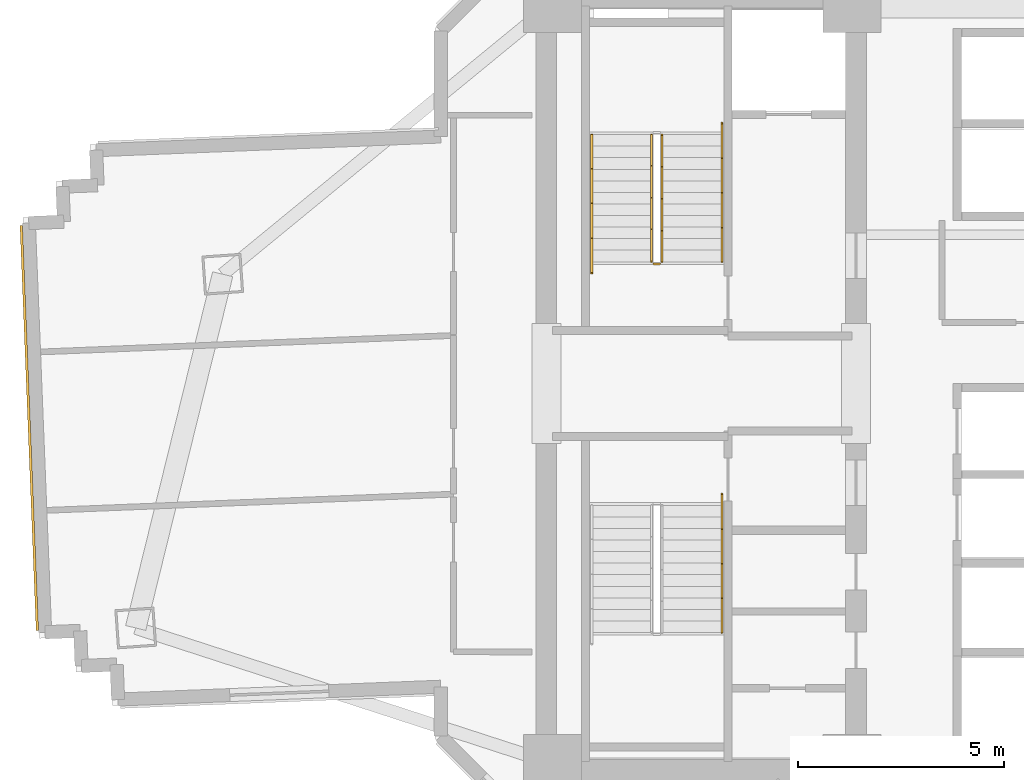
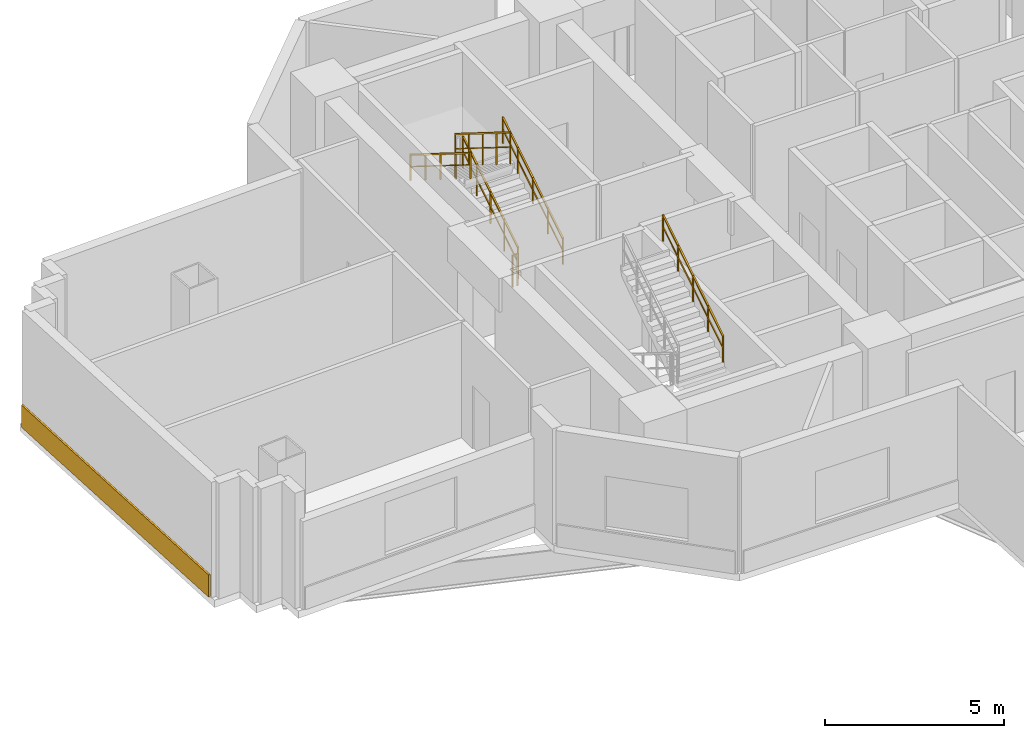
# One storey, part 13 of 16: 6 railings, 1 covering.
"""IFC4 building model written with IfcOpenShell, lengths in metres."""

from ifc_helpers import new_model, si_unit, direction, frame, origin, origin_2d, place, context, subcontext, project, spatial, rectangle, extrude, source, transform, mapped, material, layer, layer_set, type_object, element, save


model = new_model("IFC4")

# Units and contexts
model_context = context("Model", 3, precision=1e-05, world=origin(), true_north=direction((0.0, 1.0)))
body_context = subcontext(model_context, "Body", "Model", "MODEL_VIEW")
ifc_project = project(units=[si_unit("LENGTHUNIT", "METRE"), si_unit("AREAUNIT", "SQUARE_METRE"), si_unit("VOLUMEUNIT", "CUBIC_METRE"), si_unit("PLANEANGLEUNIT", "RADIAN"), si_unit("MASSUNIT", "GRAM", prefix="KILO")], contexts=[model_context])

# Site, building, storey
site_placement = place(None, origin())
site = spatial("IfcSite", under=ifc_project, at=site_placement, CompositionType="ELEMENT")
building_placement = place(site_placement, origin())
building = spatial("IfcBuilding", under=site, at=building_placement, Name="Zahravan Cultural Tower", CompositionType="ELEMENT")
storey_placement = place(building_placement, frame((0.0, 0.0, 54.300048828125)))
storey = spatial("IfcBuildingStorey", under=building, at=storey_placement, Name="L11", CompositionType="ELEMENT", Elevation=54.300048828125)

# Railings
ifc_material_1 = material(Name="Steel ASTM A572 Grade 50", Category="steel")
railing_type_1 = type_object("IfcRailingType", Name="RL-STAIR-GRD1150", PredefinedType="BALUSTRADE", material=ifc_material_1)
railing_1_placement = place(storey_placement, frame((24.300048828125, 29.949951171875, 0.175048828125)))
element("IfcRailing", 1, at=railing_1_placement, inside=storey, type_object=railing_type_1, Name="L11 ST-W1 stair guard 1", PredefinedType="BALUSTRADE", context=body_context, shape_type="SweptSolid", body=[
    extrude(rectangle(XDim=0.05, YDim=0.05, at=origin_2d()), frame((0.0, 0.0, 1.0751953125), z_axis=(0.0, 0.848028513186, 0.529950602248), x_axis=(-1.0, 0.0, 0.0)), (0.0, 0.0, 1.0), 3.632080078125),
    extrude(rectangle(XDim=0.032, YDim=0.032, at=origin_2d()), frame((0.0, 0.0, 0.572021484375), z_axis=(0.0, 0.848028513186, 0.529950602248), x_axis=(-1.0, 0.0, 0.0)), (0.0, 0.0, 1.0), 3.632080078125),
    extrude(rectangle(XDim=0.04, YDim=0.04, at=origin_2d()), origin(), (0.0, 0.0, 1.0), 1.10009765625),
    extrude(rectangle(XDim=0.04, YDim=0.04, at=origin_2d()), frame((0.0, 0.77001953125, 0.481201171875)), (0.0, 0.0, 1.0), 1.10009765625),
    extrude(rectangle(XDim=0.04, YDim=0.04, at=origin_2d()), frame((0.0, 1.5400390625, 0.96240234375)), (0.0, 0.0, 1.0), 1.10009765625),
    extrude(rectangle(XDim=0.04, YDim=0.04, at=origin_2d()), frame((0.0, 2.31005859375, 1.443603515625)), (0.0, 0.0, 1.0), 1.10009765625),
    extrude(rectangle(XDim=0.04, YDim=0.04, at=origin_2d()), frame((0.0, 3.080078125, 1.9248046875)), (0.0, 0.0, 1.0), 1.10009765625),
])
railing_2_placement = place(storey_placement, frame((24.050048828125, 33.030029296875, 2.27490234375)))
element("IfcRailing", 2, at=railing_2_placement, inside=storey, type_object=railing_type_1, Name="L11 ST-W1 stair guard 3", PredefinedType="BALUSTRADE", context=body_context, shape_type="SweptSolid", body=[
    extrude(rectangle(XDim=0.05, YDim=0.05, at=origin_2d()), frame((0.0, 0.0, 1.0751953125), z_axis=(0.0, -0.847998304005, 0.529998940003), x_axis=(1.0, 0.0, 0.0)), (0.0, 0.0, 1.0), 3.632080078125),
    extrude(rectangle(XDim=0.032, YDim=0.032, at=origin_2d()), frame((0.0, 0.0, 0.572021484375), z_axis=(0.0, -0.847998304005, 0.529998940003), x_axis=(1.0, 0.0, 0.0)), (0.0, 0.0, 1.0), 3.632080078125),
    extrude(rectangle(XDim=0.04, YDim=0.04, at=origin_2d()), origin(), (0.0, 0.0, 1.0), 1.10009765625),
    extrude(rectangle(XDim=0.04, YDim=0.04, at=origin_2d()), frame((0.0, -0.77001953125, 0.481201171875)), (0.0, 0.0, 1.0), 1.10009765625),
    extrude(rectangle(XDim=0.04, YDim=0.04, at=origin_2d()), frame((0.0, -1.5400390625, 0.96240234375)), (0.0, 0.0, 1.0), 1.10009765625),
    extrude(rectangle(XDim=0.04, YDim=0.04, at=origin_2d()), frame((0.0, -2.31005859375, 1.44384765625)), (0.0, 0.0, 1.0), 1.10009765625),
    extrude(rectangle(XDim=0.04, YDim=0.04, at=origin_2d()), frame((0.0, -3.080078125, 1.925048828125)), (0.0, 0.0, 1.0), 1.10009765625),
])
railing_3_placement = place(storey_placement, frame((24.25, 29.89990234375, 0.0)))
element("IfcRailing", 3, at=railing_3_placement, inside=storey, type_object=railing_type_1, Name="L11 ST-W1 stair guard 4", PredefinedType="BALUSTRADE", context=body_context, shape_type="SweptSolid", body=[
    extrude(rectangle(XDim=0.05, YDim=0.05, at=origin_2d()), frame((0.0, 0.0, 1.0751953125), z_axis=(-1.0, 0.0, 0.0), x_axis=(0.0, -1.0, 0.0)), (0.0, 0.0, 1.0), 0.14990234375),
    extrude(rectangle(XDim=0.032, YDim=0.032, at=origin_2d()), frame((0.0, 0.0, 0.572021484375), z_axis=(-1.0, 0.0, 0.0), x_axis=(0.0, -1.0, 0.0)), (0.0, 0.0, 1.0), 0.14990234375),
    extrude(rectangle(XDim=0.04, YDim=0.04, at=origin_2d()), origin(), (0.0, 0.0, 1.0), 1.10009765625),
    extrude(rectangle(XDim=0.04, YDim=0.04, at=origin_2d()), frame((-0.14990234375, 0.0, 0.0)), (0.0, 0.0, 1.0), 1.10009765625),
])
railing_type_2 = type_object("IfcRailingType", Name="RL-STAIR-HR900", PredefinedType="HANDRAIL", material=ifc_material_1)
railing_4_placement = place(storey_placement, frame((25.75, 29.949951171875, 0.175048828125)))
element("IfcRailing", 4, at=railing_4_placement, inside=storey, type_object=railing_type_2, Name="L11 ST-W1 stair handrail 1", PredefinedType="HANDRAIL", context=body_context, shape_type="SweptSolid", body=[
    extrude(rectangle(XDim=0.05, YDim=0.05, at=origin_2d()), frame((0.0, 0.0, 0.875), z_axis=(0.0, 0.848022534174, 0.529960169762), x_axis=(-1.0, 0.0, 0.0)), (0.0, 0.0, 1.0), 3.96240234375),
    extrude(rectangle(XDim=0.032, YDim=0.032, at=origin_2d()), frame((0.0, 0.0, 0.468017578125), z_axis=(0.0, 0.848022534174, 0.529960169762), x_axis=(-1.0, 0.0, 0.0)), (0.0, 0.0, 1.0), 3.96240234375),
    extrude(rectangle(XDim=0.04, YDim=0.04, at=origin_2d()), origin(), (0.0, 0.0, 1.0), 0.89990234375),
    extrude(rectangle(XDim=0.04, YDim=0.04, at=origin_2d()), frame((0.0, 0.840087890625, 0.52490234375)), (0.0, 0.0, 1.0), 0.89990234375),
    extrude(rectangle(XDim=0.04, YDim=0.04, at=origin_2d()), frame((0.0, 1.68017578125, 1.0498046875)), (0.0, 0.0, 1.0), 0.89990234375),
    extrude(rectangle(XDim=0.04, YDim=0.04, at=origin_2d()), frame((0.0, 2.52001953125, 1.574951171875)), (0.0, 0.0, 1.0), 0.89990234375),
    extrude(rectangle(XDim=0.04, YDim=0.04, at=origin_2d()), frame((0.0, 3.360107421875, 2.099853515625)), (0.0, 0.0, 1.0), 0.89990234375),
])
railing_5_placement = place(storey_placement, frame((22.60009765625, 33.030029296875, 2.27490234375)))
element("IfcRailing", 5, at=railing_5_placement, inside=storey, type_object=railing_type_2, Name="L11 ST-W1 stair handrail 2", PredefinedType="HANDRAIL", context=body_context, shape_type="SweptSolid", body=[
    extrude(rectangle(XDim=0.05, YDim=0.05, at=origin_2d()), frame((0.0, 0.0, 0.875), z_axis=(0.0, -0.847994842521, 0.530004478338), x_axis=(1.0, 0.0, 0.0)), (0.0, 0.0, 1.0), 3.96240234375),
    extrude(rectangle(XDim=0.032, YDim=0.032, at=origin_2d()), frame((0.0, 0.0, 0.468017578125), z_axis=(0.0, -0.847994842521, 0.530004478338), x_axis=(1.0, 0.0, 0.0)), (0.0, 0.0, 1.0), 3.96240234375),
    extrude(rectangle(XDim=0.04, YDim=0.04, at=origin_2d()), origin(), (0.0, 0.0, 1.0), 0.89990234375),
    extrude(rectangle(XDim=0.04, YDim=0.04, at=origin_2d()), frame((0.0, -0.840087890625, 0.52490234375)), (0.0, 0.0, 1.0), 0.89990234375),
    extrude(rectangle(XDim=0.04, YDim=0.04, at=origin_2d()), frame((0.0, -1.68017578125, 1.050048828125)), (0.0, 0.0, 1.0), 0.89990234375),
    extrude(rectangle(XDim=0.04, YDim=0.04, at=origin_2d()), frame((0.0, -2.52001953125, 1.5751953125)), (0.0, 0.0, 1.0), 0.89990234375),
    extrude(rectangle(XDim=0.04, YDim=0.04, at=origin_2d()), frame((0.0, -3.360107421875, 2.10009765625)), (0.0, 0.0, 1.0), 0.89990234375),
])
railing_6_placement = place(storey_placement, frame((25.75, 20.969970703125, 2.27490234375)))
element("IfcRailing", 6, at=railing_6_placement, inside=storey, type_object=railing_type_2, Name="L11 ST-W2 stair handrail 2", PredefinedType="HANDRAIL", context=body_context, shape_type="SweptSolid", body=[
    extrude(rectangle(XDim=0.05, YDim=0.05, at=origin_2d()), frame((0.0, 0.0, 0.875), z_axis=(0.0, 0.847994842521, 0.530004478338), x_axis=(-1.0, 0.0, 0.0)), (0.0, 0.0, 1.0), 3.96240234375),
    extrude(rectangle(XDim=0.032, YDim=0.032, at=origin_2d()), frame((0.0, 0.0, 0.468017578125), z_axis=(0.0, 0.847994842521, 0.530004478338), x_axis=(-1.0, 0.0, 0.0)), (0.0, 0.0, 1.0), 3.96240234375),
    extrude(rectangle(XDim=0.04, YDim=0.04, at=origin_2d()), origin(), (0.0, 0.0, 1.0), 0.89990234375),
    extrude(rectangle(XDim=0.04, YDim=0.04, at=origin_2d()), frame((0.0, 0.840087890625, 0.52490234375)), (0.0, 0.0, 1.0), 0.89990234375),
    extrude(rectangle(XDim=0.04, YDim=0.04, at=origin_2d()), frame((0.0, 1.68017578125, 1.050048828125)), (0.0, 0.0, 1.0), 0.89990234375),
    extrude(rectangle(XDim=0.04, YDim=0.04, at=origin_2d()), frame((0.0, 2.52001953125, 1.5751953125)), (0.0, 0.0, 1.0), 0.89990234375),
    extrude(rectangle(XDim=0.04, YDim=0.04, at=origin_2d()), frame((0.0, 3.360107421875, 2.10009765625)), (0.0, 0.0, 1.0), 0.89990234375),
])

# Covering
ifc_material_2 = material(Name="Terracotta ceramic cladding", Category="masonry")
ifc_layer = layer(ifc_material_2, 0.06005859375)
ifc_layer_set = layer_set([ifc_layer], Name="Terracotta ceramic cladding")
covering_type = type_object("IfcCoveringType", Name="COV-CLAD-TC60", PredefinedType="CLADDING", material=ifc_layer_set)
shared_shape = source(origin(), body_context, "Body", "SweptSolid", [
    extrude(rectangle(XDim=9.820068359375, YDim=0.06005859375, at=origin_2d()), origin(), (0.0, 0.0, 1.0), 0.760009765625),
])
covering_placement = place(storey_placement, frame((8.976318359375, 25.924072265625, 0.02001953125), z_axis=(0.0, 0.0, 1.0), x_axis=(-0.039783005453, 0.999208342878, 0.0)))
element("IfcCovering", 7, at=covering_placement, inside=storey, type_object=covering_type, Name="L11 Terracotta Spandrel Cladding 33", PredefinedType="CLADDING", context=body_context, shape_type="MappedRepresentation", body=[
    mapped(shared_shape, transform((0.0, 0.0, 0.0), x_axis=(1.0, 0.0, 0.0), y_axis=(0.0, 1.0, 0.0), z_axis=(0.0, 0.0, 1.0), scale=1.0)),
])

save(model, "model.ifc")
